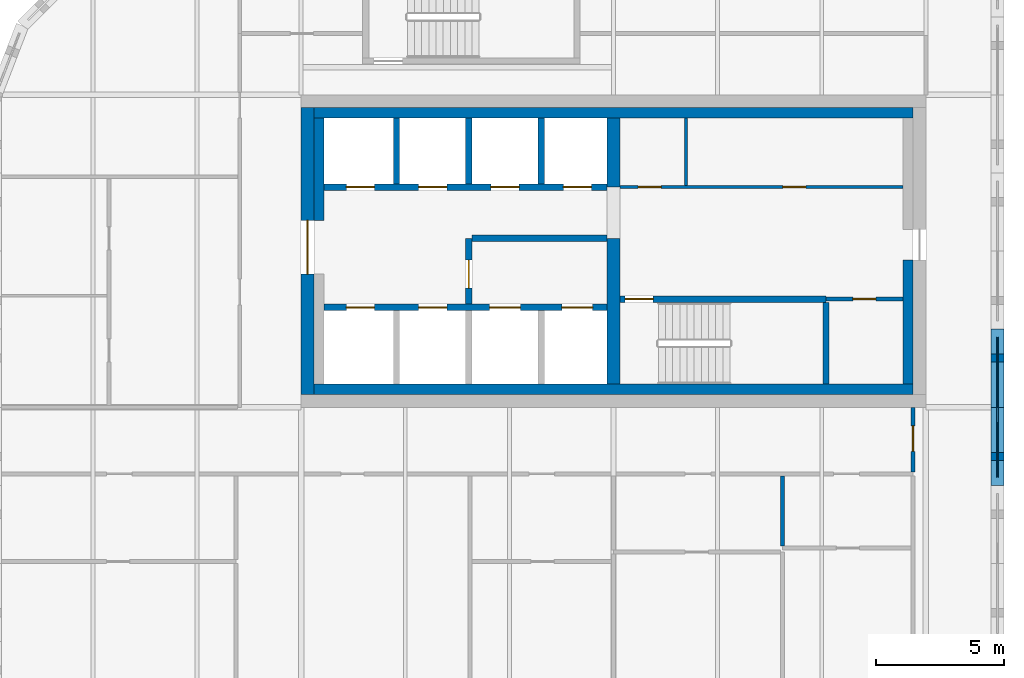
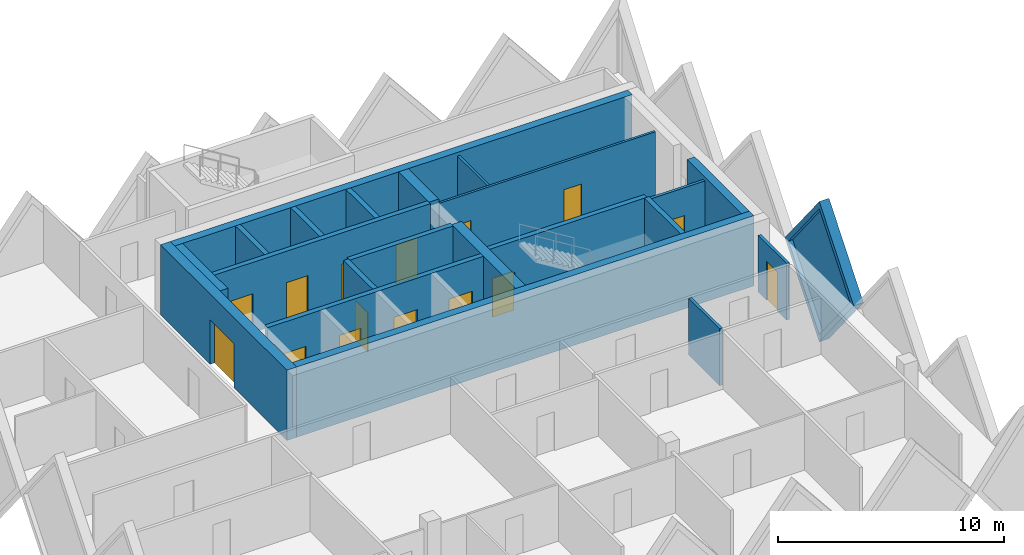
# One storey, part 14 of 18: 22 walls, 15 doors, 1 plate, 16 openings.
"""IFC4 building model written with IfcOpenShell, lengths in metres."""

from ifc_helpers import new_model, si_unit, direction, frame, frame_2d, origin, place, context, subcontext, project, spatial, polyline, rectangle, outline, extrude, faceted_brep, source, transform, mapped, material, layer, layer_set, type_object, element, fill, save


model = new_model("IFC4")

# Units and contexts
model_context = context("Model", 3, precision=1e-05, world=origin(), true_north=direction((0.0, 1.0)))
body_context = subcontext(model_context, "Body", "Model", "MODEL_VIEW")
ifc_project = project(units=[si_unit("LENGTHUNIT", "METRE"), si_unit("AREAUNIT", "SQUARE_METRE"), si_unit("VOLUMEUNIT", "CUBIC_METRE"), si_unit("PLANEANGLEUNIT", "RADIAN"), si_unit("MASSUNIT", "GRAM", prefix="KILO")], contexts=[model_context])

# Site, building, storey
site_placement = place(None, origin())
site = spatial("IfcSite", under=ifc_project, at=site_placement, CompositionType="ELEMENT")
building_placement = place(site_placement, origin())
building = spatial("IfcBuilding", under=site, at=building_placement, Name="Tessera Gate Towers", CompositionType="ELEMENT")
storey_placement = place(building_placement, frame((0.0, 0.0, 99.0)))
storey = spatial("IfcBuildingStorey", under=building, at=storey_placement, Name="L24", CompositionType="ELEMENT", Elevation=99.0)

# Wall, openings, doors
ifc_material_1 = material(Name="Concrete C40/50", Category="concrete")
ifc_layer_1 = layer(ifc_material_1, 0.25)
ifc_layer_set_1 = layer_set([ifc_layer_1], Name="CORE ENCLOSURE WALL 250")
wall_type_1 = type_object("IfcWallType", Name="CORE ENCLOSURE WALL 250", PredefinedType="SOLIDWALL", material=ifc_layer_set_1)
wall_1_placement = place(storey_placement, frame((98.5, 40.5, 0.0), z_axis=(0.0, 0.0, 1.0), x_axis=(1.0, 0.0, 0.0)))
wall_1 = element("IfcWall", 1, at=wall_1_placement, inside=storey, type_object=wall_type_1, Name="L24 shaft and stair enclosure wall", PredefinedType="SOLIDWALL", context=body_context, shape_type="SweptSolid", body=[
    extrude(rectangle(XDim=11.050048828125, YDim=0.25, at=frame_2d((5.52490234375, 0.0))), origin(), (0.0, 0.0, 1.0), 3.800048828125),
])
shared_shape_1 = source(origin(), body_context, "Body", "SweptSolid", [
    extrude(rectangle(XDim=1.10009765625, YDim=2.10009765625, at=frame_2d((0.550048828125, 1.050048828125))), frame((0.0, 0.135009765625, 0.0), z_axis=(0.0, -1.0, 0.0), x_axis=(1.0, 0.0, 0.0)), (0.0, 0.0, 1.0), 0.27001953125),
])
opening_1_placement = place(wall_1_placement, frame((0.862548828125, 0.0, 0.0)))
opening_1 = element("IfcOpeningElement", 2, at=opening_1_placement, cuts=wall_1, Name="Opening LD-TL1", PredefinedType="OPENING", context=body_context, shape_type="MappedRepresentation", body=[
    mapped(shared_shape_1, transform((0.0, 0.0, 0.0), scale=1.0)),
])
opening_2_placement = place(wall_1_placement, frame((3.6875, 0.0, 0.0)))
opening_2 = element("IfcOpeningElement", 3, at=opening_2_placement, cuts=wall_1, Name="Opening LD-TL2", PredefinedType="OPENING", context=body_context, shape_type="MappedRepresentation", body=[
    mapped(shared_shape_1, transform((0.0, 0.0, 0.0), scale=1.0)),
])
shared_shape_2 = source(origin(), body_context, "Body", "SweptSolid", [
    extrude(rectangle(XDim=1.199951171875, YDim=2.10009765625, at=frame_2d((0.60009765625, 1.050048828125))), frame((0.0, 0.135009765625, 0.0), z_axis=(0.0, -1.0, 0.0), x_axis=(1.0, 0.0, 0.0)), (0.0, 0.0, 1.0), 0.27001953125),
])
opening_3_placement = place(wall_1_placement, frame((6.46240234375, 0.0, 0.0)))
opening_3 = element("IfcOpeningElement", 4, at=opening_3_placement, cuts=wall_1, Name="Opening LD-FF3", PredefinedType="OPENING", context=body_context, shape_type="MappedRepresentation", body=[
    mapped(shared_shape_2, transform((0.0, 0.0, 0.0), scale=1.0)),
])
opening_4_placement = place(wall_1_placement, frame((9.28759765625, 0.0, 0.0)))
opening_4 = element("IfcOpeningElement", 5, at=opening_4_placement, cuts=wall_1, Name="Opening LD-FF4", PredefinedType="OPENING", context=body_context, shape_type="MappedRepresentation", body=[
    mapped(shared_shape_2, transform((0.0, 0.0, 0.0), scale=1.0)),
])
ifc_material_2 = material(Name="Stainless steel", Category="steel")
door_type_1 = type_object("IfcDoorType", Name="CORE DOOR LD1200 1200x2100", OperationType="DOUBLE_DOOR_SLIDING", PredefinedType="DOOR", material=ifc_material_2)
shared_shape_3 = source(origin(), body_context, "Body", "SweptSolid", [
    extrude(rectangle(XDim=1.199951171875, YDim=2.10009765625, at=frame_2d((0.60009765625, 1.050048828125))), frame((0.0, 0.02490234375, 0.0), z_axis=(0.0, -1.0, 0.0), x_axis=(1.0, 0.0, 0.0)), (0.0, 0.0, 1.0), 0.050048828125),
])
door_1_placement = place(opening_3_placement, origin())
door_1 = element("IfcDoor", 6, at=door_1_placement, inside=storey, type_object=door_type_1, Name="Landing door FF3 L24", OperationType="DOUBLE_DOOR_SLIDING", OverallHeight=2.10009765625, OverallWidth=1.199951171875, PredefinedType="DOOR", context=body_context, shape_type="MappedRepresentation", body=[
    mapped(shared_shape_3, transform((0.0, 0.0, 0.0), scale=1.0)),
])
fill(opening_3, door_1)
door_2_placement = place(opening_4_placement, origin())
door_2 = element("IfcDoor", 7, at=door_2_placement, inside=storey, type_object=door_type_1, Name="Landing door FF4 L24", OperationType="DOUBLE_DOOR_SLIDING", OverallHeight=2.10009765625, OverallWidth=1.199951171875, PredefinedType="DOOR", context=body_context, shape_type="MappedRepresentation", body=[
    mapped(shared_shape_3, transform((0.0, 0.0, 0.0), scale=1.0)),
])
fill(opening_4, door_2)
ifc_material_3 = material(Name="Stainless steel", Category="steel")
door_type_2 = type_object("IfcDoorType", Name="CORE DOOR LD 1100x2100", OperationType="DOUBLE_DOOR_SLIDING", PredefinedType="DOOR", material=ifc_material_3)
shared_shape_4 = source(origin(), body_context, "Body", "SweptSolid", [
    extrude(rectangle(XDim=1.10009765625, YDim=2.10009765625, at=frame_2d((0.550048828125, 1.050048828125))), frame((0.0, 0.02490234375, 0.0), z_axis=(0.0, -1.0, 0.0), x_axis=(1.0, 0.0, 0.0)), (0.0, 0.0, 1.0), 0.050048828125),
])
door_3_placement = place(opening_1_placement, origin())
door_3 = element("IfcDoor", 8, at=door_3_placement, inside=storey, type_object=door_type_2, Name="Landing door TL1 L24", OperationType="DOUBLE_DOOR_SLIDING", OverallHeight=2.10009765625, OverallWidth=1.10009765625, PredefinedType="DOOR", context=body_context, shape_type="MappedRepresentation", body=[
    mapped(shared_shape_4, transform((0.0, 0.0, 0.0), scale=1.0)),
])
fill(opening_1, door_3)
door_4_placement = place(opening_2_placement, origin())
door_4 = element("IfcDoor", 9, at=door_4_placement, inside=storey, type_object=door_type_2, Name="Landing door TL2 L24", OperationType="DOUBLE_DOOR_SLIDING", OverallHeight=2.10009765625, OverallWidth=1.10009765625, PredefinedType="DOOR", context=body_context, shape_type="MappedRepresentation", body=[
    mapped(shared_shape_4, transform((0.0, 0.0, 0.0), scale=1.0)),
])
fill(opening_2, door_4)

wall_2_placement = place(storey_placement, frame((109.550048828125, 45.199951171875, 0.0), z_axis=(0.0, 0.0, 1.0), x_axis=(-1.0, 0.0, 0.0)))
wall_2 = element("IfcWall", 10, at=wall_2_placement, inside=storey, type_object=wall_type_1, Name="L24 shaft and stair enclosure wall", PredefinedType="SOLIDWALL", context=body_context, shape_type="SweptSolid", body=[
    extrude(rectangle(XDim=11.050048828125, YDim=0.25, at=frame_2d((5.52490234375, 0.0))), origin(), (0.0, 0.0, 1.0), 3.800048828125),
])
opening_5_placement = place(wall_2_placement, frame((9.08740234375, 0.0, 0.0)))
opening_5 = element("IfcOpeningElement", 11, at=opening_5_placement, cuts=wall_2, Name="Opening LD-TL3", PredefinedType="OPENING", context=body_context, shape_type="MappedRepresentation", body=[
    mapped(shared_shape_1, transform((0.0, 0.0, 0.0), scale=1.0)),
])
opening_6_placement = place(wall_2_placement, frame((6.262451171875, 0.0, 0.0)))
opening_6 = element("IfcOpeningElement", 12, at=opening_6_placement, cuts=wall_2, Name="Opening LD-TL4", PredefinedType="OPENING", context=body_context, shape_type="MappedRepresentation", body=[
    mapped(shared_shape_1, transform((0.0, 0.0, 0.0), scale=1.0)),
])
opening_7_placement = place(wall_2_placement, frame((3.4375, 0.0, 0.0)))
opening_7 = element("IfcOpeningElement", 13, at=opening_7_placement, cuts=wall_2, Name="Opening LD-TL5", PredefinedType="OPENING", context=body_context, shape_type="MappedRepresentation", body=[
    mapped(shared_shape_1, transform((0.0, 0.0, 0.0), scale=1.0)),
])
opening_8_placement = place(wall_2_placement, frame((0.612548828125, 0.0, 0.0)))
opening_8 = element("IfcOpeningElement", 14, at=opening_8_placement, cuts=wall_2, Name="Opening LD-TL6", PredefinedType="OPENING", context=body_context, shape_type="MappedRepresentation", body=[
    mapped(shared_shape_1, transform((0.0, 0.0, 0.0), scale=1.0)),
])
door_5_placement = place(opening_5_placement, origin())
door_5 = element("IfcDoor", 15, at=door_5_placement, inside=storey, type_object=door_type_2, Name="Landing door TL3 L24", OperationType="DOUBLE_DOOR_SLIDING", OverallHeight=2.10009765625, OverallWidth=1.10009765625, PredefinedType="DOOR", context=body_context, shape_type="MappedRepresentation", body=[
    mapped(shared_shape_4, transform((0.0, 0.0, 0.0), scale=1.0)),
])
fill(opening_5, door_5)
door_6_placement = place(opening_6_placement, origin())
door_6 = element("IfcDoor", 16, at=door_6_placement, inside=storey, type_object=door_type_2, Name="Landing door TL4 L24", OperationType="DOUBLE_DOOR_SLIDING", OverallHeight=2.10009765625, OverallWidth=1.10009765625, PredefinedType="DOOR", context=body_context, shape_type="MappedRepresentation", body=[
    mapped(shared_shape_4, transform((0.0, 0.0, 0.0), scale=1.0)),
])
fill(opening_6, door_6)
door_7_placement = place(opening_7_placement, origin())
door_7 = element("IfcDoor", 17, at=door_7_placement, inside=storey, type_object=door_type_2, Name="Landing door TL5 L24", OperationType="DOUBLE_DOOR_SLIDING", OverallHeight=2.10009765625, OverallWidth=1.10009765625, PredefinedType="DOOR", context=body_context, shape_type="MappedRepresentation", body=[
    mapped(shared_shape_4, transform((0.0, 0.0, 0.0), scale=1.0)),
])
fill(opening_7, door_7)
door_8_placement = place(opening_8_placement, origin())
door_8 = element("IfcDoor", 18, at=door_8_placement, inside=storey, type_object=door_type_2, Name="Landing door TL6 L24", OperationType="DOUBLE_DOOR_SLIDING", OverallHeight=2.10009765625, OverallWidth=1.10009765625, PredefinedType="DOOR", context=body_context, shape_type="MappedRepresentation", body=[
    mapped(shared_shape_4, transform((0.0, 0.0, 0.0), scale=1.0)),
])
fill(opening_8, door_8)

# Wall, opening, door
wall_3_placement = place(storey_placement, frame((118.10009765625, 40.824951171875, 0.0), z_axis=(0.0, 0.0, 1.0), x_axis=(-1.0, 0.0, 0.0)))
wall_3 = element("IfcWall", 19, at=wall_3_placement, inside=storey, type_object=wall_type_1, Name="L24 shaft and stair enclosure wall", PredefinedType="SOLIDWALL", context=body_context, shape_type="SweptSolid", body=[
    extrude(rectangle(XDim=8.050048828125, YDim=0.25, at=frame_2d((4.02490234375, 0.0))), origin(), (0.0, 0.0, 1.0), 3.800048828125),
])
opening_9_placement = place(wall_3_placement, frame((6.75, 0.0, 0.0)))
opening_9 = element("IfcOpeningElement", 20, at=opening_9_placement, cuts=wall_3, Name="Opening SD-ST6-1", PredefinedType="OPENING", context=body_context, shape_type="MappedRepresentation", body=[
    mapped(shared_shape_1, transform((0.0, 0.0, 0.0), scale=1.0)),
])
ifc_material_4 = material(Name="Hollow steel fire door", Category="steel")
door_type_3 = type_object("IfcDoorType", Name="CORE DOOR SD1100 1100x2100", OperationType="NOTDEFINED", PredefinedType="DOOR", material=ifc_material_4)
door_9_placement = place(opening_9_placement, origin())
door_9 = element("IfcDoor", 21, at=door_9_placement, inside=storey, type_object=door_type_3, Name="Stair door", OperationType="SINGLE_SWING_RIGHT", OverallHeight=2.10009765625, OverallWidth=1.10009765625, PredefinedType="DOOR", context=body_context, shape_type="MappedRepresentation", body=[
    mapped(shared_shape_4, transform((0.0, 0.0, 0.0), scale=1.0)),
])
fill(opening_9, door_9)

wall_4_placement = place(storey_placement, frame((104.14990234375, 43.199951171875, 0.0), z_axis=(0.0, 0.0, 1.0), x_axis=(0.0, -1.0, 0.0)))
wall_4 = element("IfcWall", 22, at=wall_4_placement, inside=storey, type_object=wall_type_1, Name="L24 shaft and stair enclosure wall", PredefinedType="SOLIDWALL", context=body_context, shape_type="SweptSolid", body=[
    extrude(rectangle(XDim=2.574951171875, YDim=0.25, at=frame_2d((1.28759765625, 0.0))), origin(), (0.0, 0.0, 1.0), 3.800048828125),
])
opening_10_placement = place(wall_4_placement, frame((0.85009765625, 0.0, 0.0)))
opening_10 = element("IfcOpeningElement", 23, at=opening_10_placement, cuts=wall_4, Name="Opening FD-T2-12-03", PredefinedType="OPENING", context=body_context, shape_type="MappedRepresentation", body=[
    mapped(shared_shape_1, transform((0.0, 0.0, 0.0), scale=1.0)),
])
ifc_material_5 = material(Name="Hollow steel fire door", Category="steel")
door_type_4 = type_object("IfcDoorType", Name="CORE DOOR FD 1100x2100", OperationType="NOTDEFINED", PredefinedType="DOOR", material=ifc_material_5)
door_10_placement = place(opening_10_placement, origin())
door_10 = element("IfcDoor", 24, at=door_10_placement, inside=storey, type_object=door_type_4, Name="Fire-fighting lobby door", OperationType="SINGLE_SWING_RIGHT", OverallHeight=2.10009765625, OverallWidth=1.10009765625, PredefinedType="DOOR", context=body_context, shape_type="MappedRepresentation", body=[
    mapped(shared_shape_4, transform((0.0, 0.0, 0.0), scale=1.0)),
])
fill(opening_10, door_10)

# Walls
wall_5_placement = place(storey_placement, frame((104.27490234375, 43.199951171875, 0.0), z_axis=(0.0, 0.0, 1.0), x_axis=(1.0, 0.0, 0.0)))
element("IfcWall", 25, at=wall_5_placement, inside=storey, type_object=wall_type_1, Name="L24 shaft and stair enclosure wall", PredefinedType="SOLIDWALL", context=body_context, shape_type="SweptSolid", body=[
    extrude(rectangle(XDim=5.275146484375, YDim=0.25, at=frame_2d((2.6376953125, 0.0))), origin(), (0.0, 0.0, 1.0), 3.800048828125),
])
wall_6_placement = place(storey_placement, frame((118.10009765625, 37.5, 0.0), z_axis=(0.0, 0.0, 1.0), x_axis=(0.0, 1.0, 0.0)))
element("IfcWall", 26, at=wall_6_placement, inside=storey, type_object=wall_type_1, Name="L24 shaft and stair enclosure wall", PredefinedType="SOLIDWALL", context=body_context, shape_type="SweptSolid", body=[
    extrude(rectangle(XDim=3.199951171875, YDim=0.25, at=frame_2d((1.60009765625, 0.0))), origin(), (0.0, 0.0, 1.0), 3.800048828125),
])
for number, where, z_axis, x_axis, name in (
    (27, (101.324951171875, 45.324951171875, 0.0), (0.0, 0.0, 1.0), (0.0, 1.0, 0.0), "L24 shaft and stair enclosure wall"),
    (28, (104.14990234375, 45.324951171875, 0.0), (0.0, 0.0, 1.0), (0.0, 1.0, 0.0), "L24 shaft and stair enclosure wall"),
    (29, (106.97509765625, 45.324951171875, 0.0), (0.0, 0.0, 1.0), (0.0, 1.0, 0.0), "L24 shaft and stair enclosure wall"),
):
    element("IfcWall", number, at=place(storey_placement, frame(where, z_axis=z_axis, x_axis=x_axis)), inside=storey, type_object=wall_type_1, Name=name, PredefinedType="SOLIDWALL", context=body_context, shape_type="SweptSolid", body=[
        extrude(rectangle(XDim=2.574951171875, YDim=0.25, at=frame_2d((1.28759765625, 0.0))), origin(), (0.0, 0.0, 1.0), 3.800048828125),
    ])

# Wall, openings, doors
ifc_material_6 = material(Name="Gypsum board on steel studs", Category="steel")
ifc_layer_2 = layer(ifc_material_6, 0.1201171875)
ifc_layer_set_2 = layer_set([ifc_layer_2], Name="CORE PARTITION 120")
wall_type_2 = type_object("IfcWallType", Name="CORE PARTITION 120", PredefinedType="PARTITIONING", material=ifc_layer_set_2)
wall_7_placement = place(storey_placement, frame((110.050048828125, 45.199951171875, 0.0), z_axis=(0.0, 0.0, 1.0), x_axis=(1.0, 0.0, 0.0)))
wall_7 = element("IfcWall", 30, at=wall_7_placement, inside=storey, type_object=wall_type_2, Name="L24 core partition", PredefinedType="PARTITIONING", context=body_context, shape_type="SweptSolid", body=[
    extrude(rectangle(XDim=11.050048828125, YDim=0.1201171875, at=frame_2d((5.52490234375, 0.0))), origin(), (0.0, 0.0, 1.0), 3.60009765625),
])
shared_shape_5 = source(origin(), body_context, "Body", "SweptSolid", [
    extrude(rectangle(XDim=0.89990234375, YDim=2.10009765625, at=frame_2d((0.449951171875, 1.050048828125))), frame((0.0, 0.070068359375, 0.0), z_axis=(0.0, -1.0, 0.0), x_axis=(1.0, 0.0, 0.0)), (0.0, 0.0, 1.0), 0.14013671875),
])
opening_11_placement = place(wall_7_placement, frame((0.71240234375, 0.0, 0.0)))
opening_11 = element("IfcOpeningElement", 31, at=opening_11_placement, cuts=wall_7, Name="Opening RD-T2-12-04", PredefinedType="OPENING", context=body_context, shape_type="MappedRepresentation", body=[
    mapped(shared_shape_5, transform((0.0, 0.0, 0.0), scale=1.0)),
])
opening_12_placement = place(wall_7_placement, frame((6.362548828125, 0.0, 0.0)))
opening_12 = element("IfcOpeningElement", 32, at=opening_12_placement, cuts=wall_7, Name="Opening RD-T2-12-05", PredefinedType="OPENING", context=body_context, shape_type="MappedRepresentation", body=[
    mapped(shared_shape_5, transform((0.0, 0.0, 0.0), scale=1.0)),
])
ifc_material_7 = material(Name="Hollow steel fire door", Category="steel")
door_type_5 = type_object("IfcDoorType", Name="CORE DOOR RD 900x2100", OperationType="NOTDEFINED", PredefinedType="DOOR", material=ifc_material_7)
shared_shape_6 = source(origin(), body_context, "Body", "SweptSolid", [
    extrude(rectangle(XDim=0.89990234375, YDim=2.10009765625, at=frame_2d((0.449951171875, 1.050048828125))), frame((0.0, 0.02490234375, 0.0), z_axis=(0.0, -1.0, 0.0), x_axis=(1.0, 0.0, 0.0)), (0.0, 0.0, 1.0), 0.050048828125),
])
door_11_placement = place(opening_11_placement, origin())
door_11 = element("IfcDoor", 33, at=door_11_placement, inside=storey, type_object=door_type_5, Name="Core room door", OperationType="SINGLE_SWING_LEFT", OverallHeight=2.10009765625, OverallWidth=0.89990234375, PredefinedType="DOOR", context=body_context, shape_type="MappedRepresentation", body=[
    mapped(shared_shape_6, transform((0.0, 0.0, 0.0), scale=1.0)),
])
fill(opening_11, door_11)
door_12_placement = place(opening_12_placement, origin())
door_12 = element("IfcDoor", 34, at=door_12_placement, inside=storey, type_object=door_type_5, Name="Core room door", OperationType="SINGLE_SWING_RIGHT", OverallHeight=2.10009765625, OverallWidth=0.89990234375, PredefinedType="DOOR", context=body_context, shape_type="MappedRepresentation", body=[
    mapped(shared_shape_6, transform((0.0, 0.0, 0.0), scale=1.0)),
])
fill(opening_12, door_12)

# Wall
wall_8_placement = place(storey_placement, frame((112.625, 45.260009765625, 0.0), z_axis=(0.0, 0.0, 1.0), x_axis=(0.0, 1.0, 0.0)))
element("IfcWall", 35, at=wall_8_placement, inside=storey, type_object=wall_type_2, Name="L24 core partition", PredefinedType="PARTITIONING", context=body_context, shape_type="SweptSolid", body=[
    extrude(rectangle(XDim=2.639892578125, YDim=0.1201171875, at=frame_2d((1.31982421875, 0.0))), origin(), (0.0, 0.0, 1.0), 3.60009765625),
])

# Wall, opening, door
ifc_material_8 = material(Name="Concrete C50/60", Category="concrete")
ifc_layer_3 = layer(ifc_material_8, 0.5)
ifc_layer_set_3 = layer_set([ifc_layer_3], Name="CORE SHEAR WALL 500 C50/60")
wall_type_3 = type_object("IfcWallType", Name="CORE SHEAR WALL 500 C50/60", PredefinedType="SHEAR", material=ifc_layer_set_3)
wall_9_placement = place(storey_placement, frame((97.85009765625, 37.10009765625, 0.0), z_axis=(0.0, 0.0, 1.0), x_axis=(0.0, 1.0, 0.0)))
wall_9 = element("IfcWall", 36, at=wall_9_placement, inside=storey, type_object=wall_type_3, Name="Core wall W L24", PredefinedType="SHEAR", context=body_context, shape_type="SweptSolid", body=[
    extrude(rectangle(XDim=11.199951171875, YDim=0.5, at=frame_2d((5.60009765625, 0.0))), origin(), (0.0, 0.0, 1.0), 3.800048828125),
])
shared_shape_7 = source(origin(), body_context, "Body", "SweptSolid", [
    extrude(rectangle(XDim=2.10009765625, YDim=2.39990234375, at=frame_2d((1.050048828125, 1.199951171875))), frame((0.0, 0.260009765625, 0.0), z_axis=(0.0, -1.0, 0.0), x_axis=(1.0, 0.0, 0.0)), (0.0, 0.0, 1.0), 0.52001953125),
])
opening_13_placement = place(wall_9_placement, frame((4.699951171875, 0.0, 0.0)))
opening_13 = element("IfcOpeningElement", 37, at=opening_13_placement, cuts=wall_9, Name="Opening DD-T2-12-01", PredefinedType="OPENING", context=body_context, shape_type="MappedRepresentation", body=[
    mapped(shared_shape_7, transform((0.0, 0.0, 0.0), scale=1.0)),
])
ifc_material_9 = material(Name="Hollow steel fire door", Category="steel")
door_type_6 = type_object("IfcDoorType", Name="CORE DOOR DD 2100x2400", OperationType="NOTDEFINED", PredefinedType="DOOR", material=ifc_material_9)
shared_shape_8 = source(origin(), body_context, "Body", "SweptSolid", [
    extrude(rectangle(XDim=2.10009765625, YDim=2.39990234375, at=frame_2d((1.050048828125, 1.199951171875))), frame((0.0, 0.02490234375, 0.0), z_axis=(0.0, -1.0, 0.0), x_axis=(1.0, 0.0, 0.0)), (0.0, 0.0, 1.0), 0.050048828125),
])
door_13_placement = place(opening_13_placement, origin())
door_13 = element("IfcDoor", 38, at=door_13_placement, inside=storey, type_object=door_type_6, Name="Core entrance door", OperationType="DOUBLE_DOOR_SINGLE_SWING", OverallHeight=2.39990234375, OverallWidth=2.10009765625, PredefinedType="DOOR", context=body_context, shape_type="MappedRepresentation", body=[
    mapped(shared_shape_8, transform((0.0, 0.0, 0.0), scale=1.0)),
])
fill(opening_13, door_13)

# Walls
ifc_material_10 = material(Name="Concrete C50/60", Category="concrete")
ifc_layer_4 = layer(ifc_material_10, 0.5)
ifc_layer_set_4 = layer_set([ifc_layer_4], Name="CORE SPINE WALL 500 C50/60")
wall_type_4 = type_object("IfcWallType", Name="CORE SPINE WALL 500 C50/60", PredefinedType="SHEAR", material=ifc_layer_set_4)
wall_10_placement = place(storey_placement, frame((109.800048828125, 37.5, 0.0), z_axis=(0.0, 0.0, 1.0), x_axis=(0.0, 1.0, 0.0)))
element("IfcWall", 39, at=wall_10_placement, inside=storey, type_object=wall_type_4, Name="Core wall spine L24", PredefinedType="SHEAR", context=body_context, shape_type="SweptSolid", body=[
    extrude(rectangle(XDim=5.699951171875, YDim=0.5, at=frame_2d((2.85009765625, 0.0))), origin(), (0.0, 0.0, 1.0), 3.800048828125),
])
wall_11_placement = place(storey_placement, frame((109.800048828125, 45.199951171875, 0.0), z_axis=(0.0, 0.0, 1.0), x_axis=(0.0, 1.0, 0.0)))
element("IfcWall", 40, at=wall_11_placement, inside=storey, type_object=wall_type_4, Name="Core wall spine L24", PredefinedType="SHEAR", context=body_context, shape_type="SweptSolid", body=[
    extrude(rectangle(XDim=2.699951171875, YDim=0.5, at=frame_2d((1.35009765625, 0.0))), origin(), (0.0, 0.0, 1.0), 3.800048828125),
])
ifc_material_11 = material(Name="Concrete C50/60", Category="concrete")
ifc_layer_5 = layer(ifc_material_11, 0.39990234375)
ifc_layer_set_5 = layer_set([ifc_layer_5], Name="CORE WALL THICKENING 400")
wall_type_5 = type_object("IfcWallType", Name="CORE WALL THICKENING 400", PredefinedType="SOLIDWALL", material=ifc_layer_set_5)
for number, where, z_axis, x_axis, name in (
    (41, (98.10009765625, 37.300048828125, 0.0), (0.0, 0.0, 1.0), (1.0, 0.0, 0.0), "Core wall thickening S L24"),
    (42, (98.10009765625, 48.10009765625, 0.0), (0.0, 0.0, 1.0), (1.0, 0.0, 0.0), "Core wall thickening N L24"),
):
    element("IfcWall", number, at=place(storey_placement, frame(where, z_axis=z_axis, x_axis=x_axis)), inside=storey, type_object=wall_type_5, Name=name, PredefinedType="SOLIDWALL", context=body_context, shape_type="SweptSolid", body=[
        extrude(rectangle(XDim=23.39990234375, YDim=0.39990234375, at=frame_2d((11.699951171875, 0.0))), origin(), (0.0, 0.0, 1.0), 3.800048828125),
    ])
wall_12_placement = place(storey_placement, frame((98.300048828125, 43.89990234375, 0.0), z_axis=(0.0, 0.0, 1.0), x_axis=(0.0, 1.0, 0.0)))
element("IfcWall", 43, at=wall_12_placement, inside=storey, type_object=wall_type_5, Name="Core wall thickening W L24", PredefinedType="SOLIDWALL", context=body_context, shape_type="SweptSolid", body=[
    extrude(rectangle(XDim=4.0, YDim=0.39990234375, at=frame_2d((2.0, 0.0))), origin(), (0.0, 0.0, 1.0), 3.800048828125),
])
wall_13_placement = place(storey_placement, frame((121.300048828125, 37.5, 0.0), z_axis=(0.0, 0.0, 1.0), x_axis=(0.0, 1.0, 0.0)))
element("IfcWall", 44, at=wall_13_placement, inside=storey, type_object=wall_type_5, Name="Core wall thickening E L24", PredefinedType="SOLIDWALL", context=body_context, shape_type="SweptSolid", body=[
    extrude(rectangle(XDim=4.85009765625, YDim=0.39990234375, at=frame_2d((2.425048828125, 0.0))), origin(), (0.0, 0.0, 1.0), 3.800048828125),
])

# Wall, opening, door
ifc_material_12 = material(Name="Gypsum board on steel studs, mineral wool", Category="steel")
ifc_layer_6 = layer(ifc_material_12, 0.14990234375)
ifc_layer_set_6 = layer_set([ifc_layer_6], Name="CORRIDOR WALL 150")
wall_type_6 = type_object("IfcWallType", Name="CORRIDOR WALL 150", PredefinedType="PARTITIONING", material=ifc_layer_set_6)
wall_14_placement = place(storey_placement, frame((121.5, 36.60009765625, 0.0), z_axis=(0.0, 0.0, 1.0), x_axis=(0.0, -1.0, 0.0)))
wall_14 = element("IfcWall", 45, at=wall_14_placement, inside=storey, type_object=wall_type_6, Name="T2-L24-PW-025", PredefinedType="PARTITIONING", context=body_context, shape_type="SweptSolid", body=[
    extrude(rectangle(XDim=2.524169921875, YDim=0.14990234375, at=frame_2d((1.26220703125, 0.0))), origin(), (0.0, 0.0, 1.0), 3.06689453125),
])
shared_shape_9 = source(origin(), body_context, "Body", "SweptSolid", [
    extrude(rectangle(XDim=1.0, YDim=2.10009765625, at=frame_2d((0.5, 1.050048828125))), frame((0.0, 0.0849609375, 0.0), z_axis=(0.0, -1.0, 0.0), x_axis=(1.0, 0.0, 0.0)), (0.0, 0.0, 1.0), 0.169921875),
])
opening_14_placement = place(wall_14_placement, frame((0.72412109375, 0.0, 0.0)))
opening_14 = element("IfcOpeningElement", 46, at=opening_14_placement, cuts=wall_14, Name="Opening D2100FD60-B10-07", PredefinedType="OPENING", context=body_context, shape_type="MappedRepresentation", body=[
    mapped(shared_shape_9, transform((0.0, 0.0, 0.0), scale=1.0)),
])
ifc_material_13 = material(Name="Timber door leaf in steel frame", Category="steel")
door_type_7 = type_object("IfcDoorType", Name="TENANCY ENTRANCE DOOR 1000 FD60", OperationType="NOTDEFINED", PredefinedType="DOOR", material=ifc_material_13)
shared_shape_10 = source(origin(), body_context, "Body", "SweptSolid", [
    extrude(rectangle(XDim=1.0, YDim=2.10009765625, at=frame_2d((0.5, 1.050048828125))), frame((0.0, 0.02490234375, 0.0), z_axis=(0.0, -1.0, 0.0), x_axis=(1.0, 0.0, 0.0)), (0.0, 0.0, 1.0), 0.050048828125),
])
door_14_placement = place(opening_14_placement, origin())
door_14 = element("IfcDoor", 47, at=door_14_placement, inside=storey, type_object=door_type_7, Name="T2-L24-PD-022", OperationType="SINGLE_SWING_RIGHT", OverallHeight=2.10009765625, OverallWidth=1.0, PredefinedType="DOOR", context=body_context, shape_type="MappedRepresentation", body=[
    mapped(shared_shape_10, transform((0.0, 0.0, 0.0), scale=1.0)),
])
fill(opening_14, door_14)

ifc_material_14 = material(Name="Gypsum board on steel studs", Category="steel")
ifc_layer_7 = layer(ifc_material_14, 0.14990234375)
ifc_layer_set_7 = layer_set([ifc_layer_7], Name="SERVICE ROOM WALL 150")
wall_type_7 = type_object("IfcWallType", Name="SERVICE ROOM WALL 150", PredefinedType="PARTITIONING", material=ifc_layer_set_7)
wall_15_placement = place(storey_placement, frame((121.10009765625, 40.824951171875, 0.0), z_axis=(0.0, 0.0, 1.0), x_axis=(-1.0, 0.0, 0.0)))
wall_15 = element("IfcWall", 48, at=wall_15_placement, inside=storey, type_object=wall_type_7, Name="L24 service room wall", PredefinedType="PARTITIONING", context=body_context, shape_type="SweptSolid", body=[
    extrude(rectangle(XDim=3.0, YDim=0.14990234375, at=frame_2d((1.5, 0.0))), origin(), (0.0, 0.0, 1.0), 3.60009765625),
])
shared_shape_11 = source(origin(), body_context, "Body", "SweptSolid", [
    extrude(rectangle(XDim=0.89990234375, YDim=2.10009765625, at=frame_2d((0.449951171875, 1.050048828125))), frame((0.0, 0.0849609375, 0.0), z_axis=(0.0, -1.0, 0.0), x_axis=(1.0, 0.0, 0.0)), (0.0, 0.0, 1.0), 0.169921875),
])
opening_15_placement = place(wall_15_placement, frame((1.050048828125, 0.0, 0.0)))
opening_15 = element("IfcOpeningElement", 49, at=opening_15_placement, cuts=wall_15, Name="Opening RD-T2-12-06", PredefinedType="OPENING", context=body_context, shape_type="MappedRepresentation", body=[
    mapped(shared_shape_11, transform((0.0, 0.0, 0.0), scale=1.0)),
])
door_15_placement = place(opening_15_placement, origin())
door_15 = element("IfcDoor", 50, at=door_15_placement, inside=storey, type_object=door_type_5, Name="Core room door", OperationType="SINGLE_SWING_RIGHT", OverallHeight=2.10009765625, OverallWidth=0.89990234375, PredefinedType="DOOR", context=body_context, shape_type="MappedRepresentation", body=[
    mapped(shared_shape_6, transform((0.0, 0.0, 0.0), scale=1.0)),
])
fill(opening_15, door_15)

# Wall
ifc_material_15 = material(Name="Gypsum board on steel studs, mineral wool", Category="steel")
ifc_layer_8 = layer(ifc_material_15, 0.14990234375)
ifc_layer_set_8 = layer_set([ifc_layer_8], Name="TENANCY WALL 150")
wall_type_8 = type_object("IfcWallType", Name="TENANCY WALL 150", PredefinedType="PARTITIONING", material=ifc_layer_set_8)
wall_16_placement = place(storey_placement, frame((116.39990234375, 31.176025390625, 0.0), z_axis=(0.0, 0.0, 1.0), x_axis=(0.0, 1.0, 0.0)))
element("IfcWall", 51, at=wall_16_placement, inside=storey, type_object=wall_type_8, Name="T2-L24-PW-023", PredefinedType="PARTITIONING", context=body_context, shape_type="SweptSolid", body=[
    extrude(rectangle(XDim=2.748046875, YDim=0.14990234375, at=frame_2d((1.3740234375, 0.0))), origin(), (0.0, 0.0, 1.0), 3.06689453125),
])

# Wall, opening, plate
ifc_material_16 = material(Name="Precast concrete C60/75 white", Category="concrete")
ifc_layer_9 = layer(ifc_material_16, 0.5)
ifc_layer_set_9 = layer_set([ifc_layer_9], Name="TS1 tessera")
wall_type_9 = type_object("IfcWallType", Name="TS1 tessera", PredefinedType="SOLIDWALL", material=ifc_layer_set_9)
shared_shape_12 = source(origin(), body_context, "Body", "Brep", [
    faceted_brep([(3.050048828125, -0.25, 0.0), (6.099853515625, -0.25, 3.7998046875), (6.099853515625, -0.25, 3.80029296875), (3.050048828125, -0.25, 7.60009765625), (0.0, -0.25, 3.800048828125), (0.0, 0.25, 3.800048828125), (3.050048828125, 0.25, 7.60009765625), (6.099853515625, 0.25, 3.80029296875), (6.099853515625, 0.25, 3.7998046875), (3.050048828125, 0.25, 0.0)], [[[0, 1, 2, 3, 4]], [[5, 6, 7, 8, 9]], [[9, 8, 1, 0]], [[7, 6, 3, 2]], [[6, 5, 4, 3]], [[5, 9, 0, 4]], [[1, 8, 7, 2]]]),
])
wall_17_placement = place(storey_placement, frame((124.800048828125, 33.550048828125, -3.800048828125), z_axis=(0.0, 0.0, 1.0), x_axis=(0.0, 1.0, 0.0)))
wall_17 = element("IfcWall", 52, at=wall_17_placement, inside=storey, type_object=wall_type_9, Name="Precast tessera T2 TS1-0295", PredefinedType="SOLIDWALL", context=body_context, shape_type="MappedRepresentation", body=[
    mapped(shared_shape_12, transform((0.0, 0.0, 0.0), scale=1.0)),
])
shared_shape_13 = source(origin(), body_context, "Body", "SweptSolid", [
    extrude(outline(polyline([(3.050048828125, 0.3994140625), (5.779541015625, 3.800048828125), (3.050048828125, 7.20068359375), (0.320556640625, 3.800048828125), (3.050048828125, 0.3994140625)])), frame((0.0, 0.260009765625, 0.0), z_axis=(0.0, -1.0, 0.0), x_axis=(1.0, 0.0, 0.0)), (0.0, 0.0, 1.0), 0.52001953125),
])
opening_16_placement = place(wall_17_placement, origin())
opening_16 = element("IfcOpeningElement", 53, at=opening_16_placement, cuts=wall_17, Name="Opening T2-PL2-0553", PredefinedType="OPENING", context=body_context, shape_type="MappedRepresentation", body=[
    mapped(shared_shape_13, transform((0.0, 0.0, 0.0), scale=1.0)),
])
ifc_material_17 = material(Name="Low-e laminated glass", Category="glass")
ifc_layer_10 = layer(ifc_material_17, 0.06005859375)
ifc_layer_set_10 = layer_set([ifc_layer_10], Name="PL2 rhombic pane")
plate_type = type_object("IfcPlateType", Name="PL2 rhombic pane", PredefinedType="SHEET", material=ifc_layer_set_10)
shared_shape_14 = source(origin(), body_context, "Body", "SweptSolid", [
    extrude(outline(polyline([(3.050048828125, 0.3994140625), (5.779541015625, 3.800048828125), (3.050048828125, 7.20068359375), (0.320556640625, 3.800048828125), (3.050048828125, 0.3994140625)])), frame((0.0, 0.030029296875, 0.0), z_axis=(0.0, -1.0, 0.0), x_axis=(1.0, 0.0, 0.0)), (0.0, 0.0, 1.0), 0.06005859375),
])
plate_placement = place(opening_16_placement, origin())
plate = element("IfcPlate", 54, at=plate_placement, inside=storey, type_object=plate_type, Name="Glass pane T2 PL2-0553", PredefinedType="SHEET", context=body_context, shape_type="MappedRepresentation", body=[
    mapped(shared_shape_14, transform((0.0, 0.0, 0.0), scale=1.0)),
])
fill(opening_16, plate)

save(model, "model.ifc")
